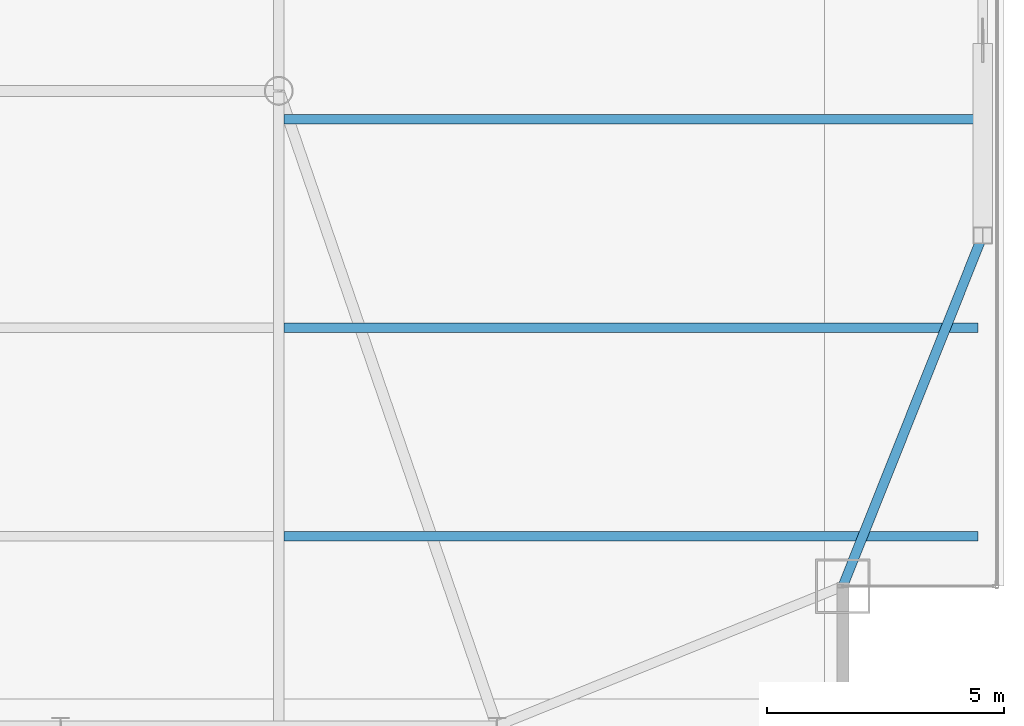
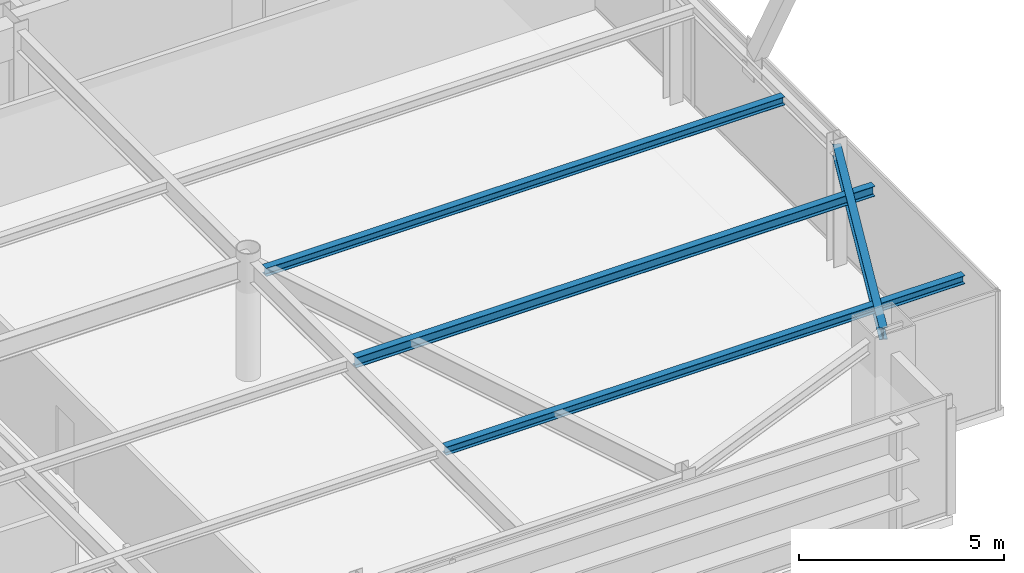
# One storey, part 13 of 27: 4 beams.
"""IFC4 building model written with IfcOpenShell, lengths in metres."""

from ifc_helpers import new_model, si_unit, direction, frame, origin, origin_2d, place, context, subcontext, project, spatial, i_section, extrude, source, transform, mapped, material, material_profile, profile_set, type_object, type_shapes, element, save


model = new_model("IFC4")

# Units and contexts
model_context = context("Model", 3, precision=1e-05, world=origin(), true_north=direction((0.0, 1.0)))
body_context = subcontext(model_context, "Body", "Model", "MODEL_VIEW")
ifc_project = project(units=[si_unit("LENGTHUNIT", "METRE"), si_unit("AREAUNIT", "SQUARE_METRE"), si_unit("VOLUMEUNIT", "CUBIC_METRE"), si_unit("PLANEANGLEUNIT", "RADIAN"), si_unit("MASSUNIT", "GRAM", prefix="KILO")], contexts=[model_context])

# Site, building, storey
site_placement = place(None, origin())
site = spatial("IfcSite", under=ifc_project, at=site_placement, CompositionType="ELEMENT")
building_placement = place(site_placement, origin())
building = spatial("IfcBuilding", under=site, at=building_placement, Name="Varnel Quay Broadcast Tower", CompositionType="ELEMENT")
storey_placement = place(building_placement, frame((0.0, 0.0, 243.199951171875)))
storey = spatial("IfcBuildingStorey", under=building, at=storey_placement, Name="L60", CompositionType="ELEMENT", Elevation=243.199951171875)

# Beams
ifc_material = material(Name="Structural Steel CSA G40.21 350W", Category="steel")
ifc_material_profile_1 = material_profile(ifc_material, i_section(OverallWidth=0.205078125, OverallDepth=0.35400390625, WebThickness=0.009521484375, FlangeThickness=0.016845703125, FilletRadius=0.012939453125, at=origin_2d()), Name="W360X79")
ifc_profile_set_1 = profile_set([ifc_material_profile_1], Name="Structural Steel CSA G40.21 350W")
beam_type_1 = type_object("IfcBeamType", Name="Beam_W360X79", PredefinedType="SPANDREL", material=ifc_profile_set_1)
shared_shape_1 = source(origin(), body_context, "Body", "SweptSolid", [
    extrude(i_section(OverallWidth=0.205078125, OverallDepth=0.35400390625, WebThickness=0.009521484375, FlangeThickness=0.016845703125, FilletRadius=0.012939453125, at=origin_2d()), origin(), (0.0, 0.0, 1.0), 7.92626953125),
])
type_shapes(beam_type_1, [shared_shape_1])
beam_1_placement = place(storey_placement, frame((55.107421875, 13.61865234375, 3.373046875), z_axis=(0.370296431883, 0.928913641053, 0.0), x_axis=(-0.928913641053, 0.370296431883, 0.0)))
element("IfcBeam", 1, at=beam_1_placement, inside=storey, type_object=beam_type_1, Name="L60 East Spandrel MC-SE-TC-E1", PredefinedType="SPANDREL", context=body_context, shape_type="MappedRepresentation", body=[
    mapped(shared_shape_1, transform((0.0, 0.0, 0.0), x_axis=(1.0, 0.0, 0.0), y_axis=(0.0, 1.0, 0.0), z_axis=(0.0, 0.0, 1.0), scale=1.0)),
])
ifc_material_profile_2 = material_profile(ifc_material, i_section(OverallWidth=0.201904296875, OverallDepth=0.2470703125, WebThickness=0.00732421875, FlangeThickness=0.010986328125, FilletRadius=0.010986328125, at=origin_2d()), Name="W250X49")
ifc_profile_set_2 = profile_set([ifc_material_profile_2], Name="Structural Steel CSA G40.21 350W")
beam_type_2 = type_object("IfcBeamType", Name="Beam_W250X49", PredefinedType="JOIST", material=ifc_profile_set_2)
shared_shape_2 = source(origin(), body_context, "Body", "SweptSolid", [
    extrude(i_section(OverallWidth=0.201904296875, OverallDepth=0.2470703125, WebThickness=0.00732421875, FlangeThickness=0.010986328125, FilletRadius=0.010986328125, at=origin_2d()), origin(), (0.0, 0.0, 1.0), 14.642333984375),
])
type_shapes(beam_type_2, [shared_shape_2])
for number, where, z_axis, x_axis, name in (
    (2, (43.31005859375, 14.64990234375, 3.426513671875), (1.0, 0.0, 0.0), (0.0, 1.0, 0.0), "L60 East Floor Joist 1"),
    (3, (43.31005859375, 23.449951171875, 3.426513671875), (1.0, 0.0, 0.0), (0.0, 1.0, 0.0), "L60 East Floor Joist 3"),
):
    element("IfcBeam", number, at=place(storey_placement, frame(where, z_axis=z_axis, x_axis=x_axis)), inside=storey, type_object=beam_type_2, Name=name, PredefinedType="JOIST", context=body_context, shape_type="MappedRepresentation", body=[
        mapped(shared_shape_2, transform((0.0, 0.0, 0.0), x_axis=(1.0, 0.0, 0.0), y_axis=(0.0, 1.0, 0.0), z_axis=(0.0, 0.0, 1.0), scale=1.0)),
    ])
ifc_material_profile_3 = material_profile(ifc_material, i_section(OverallWidth=0.202880859375, OverallDepth=0.302978515625, WebThickness=0.007568359375, FlangeThickness=0.01318359375, FilletRadius=0.011962890625, at=origin_2d()), Name="W310X60")
ifc_profile_set_3 = profile_set([ifc_material_profile_3], Name="Structural Steel CSA G40.21 350W")
beam_type_3 = type_object("IfcBeamType", Name="Beam_W310X60", PredefinedType="JOIST", material=ifc_profile_set_3)
shared_shape_3 = source(origin(), body_context, "Body", "SweptSolid", [
    extrude(i_section(OverallWidth=0.202880859375, OverallDepth=0.302978515625, WebThickness=0.007568359375, FlangeThickness=0.01318359375, FilletRadius=0.011962890625, at=origin_2d()), origin(), (0.0, 0.0, 1.0), 14.642333984375),
])
type_shapes(beam_type_3, [shared_shape_3])
beam_2_placement = place(storey_placement, frame((43.31005859375, 19.050048828125, 3.3984375), z_axis=(1.0, 0.0, 0.0), x_axis=(0.0, 1.0, 0.0)))
element("IfcBeam", 4, at=beam_2_placement, inside=storey, type_object=beam_type_3, Name="L60 East Floor Joist 2", PredefinedType="JOIST", context=body_context, shape_type="MappedRepresentation", body=[
    mapped(shared_shape_3, transform((0.0, 0.0, 0.0), x_axis=(1.0, 0.0, 0.0), y_axis=(0.0, 1.0, 0.0), z_axis=(0.0, 0.0, 1.0), scale=1.0)),
])

save(model, "model.ifc")
